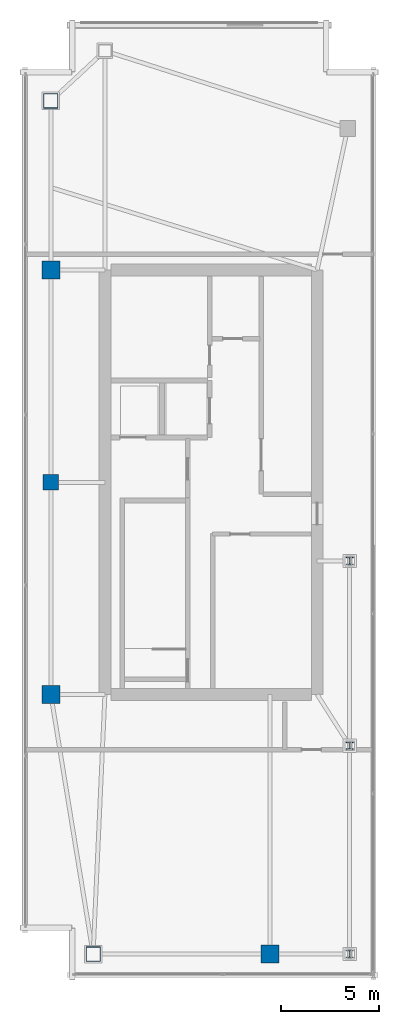
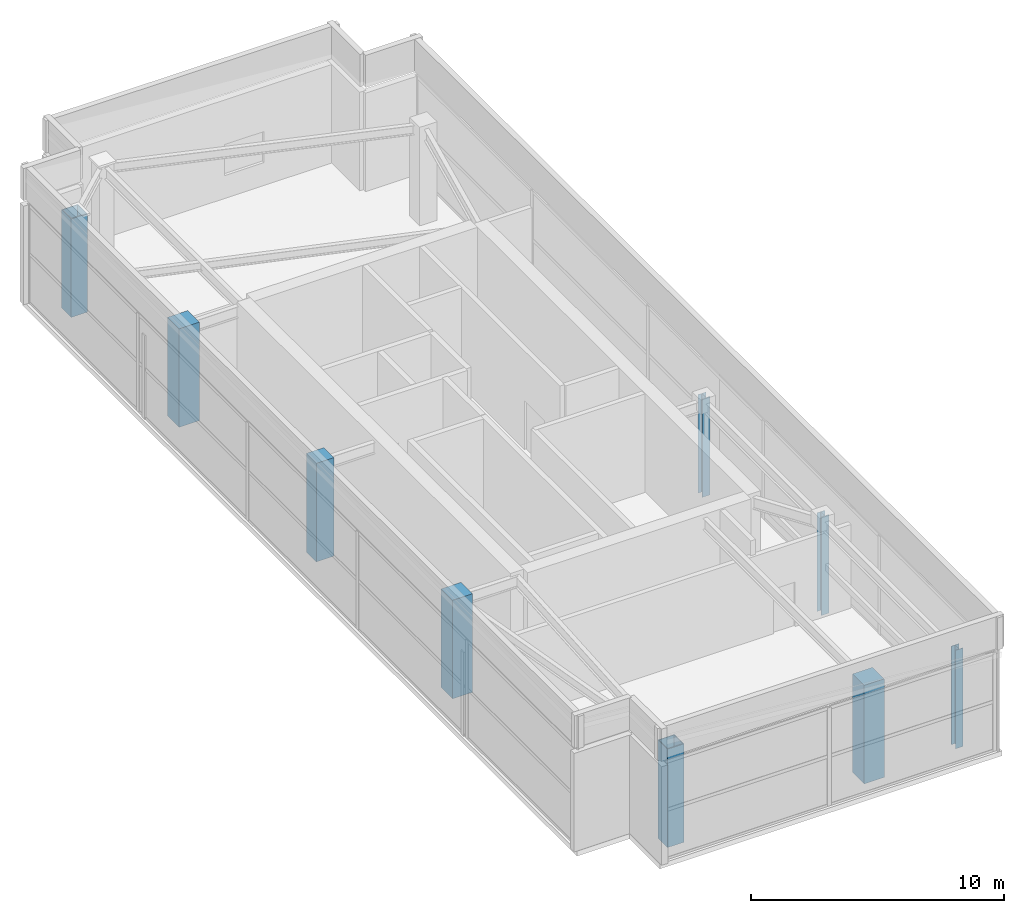
# One storey, part 1 of 20: 9 columns.
"""IFC4 building model written with IfcOpenShell, lengths in metres."""

from ifc_helpers import new_model, si_unit, direction, frame, origin, origin_2d, place, context, subcontext, project, spatial, rectangle, hollow_rectangle, i_section, extrude, material, material_profile, profile_set, type_object, element, save


model = new_model("IFC4")

# Units and contexts
model_context = context("Model", 3, precision=1e-05, world=origin(), true_north=direction((0.0, 1.0)))
body_context = subcontext(model_context, "Body", "Model", "MODEL_VIEW")
ifc_project = project(units=[si_unit("LENGTHUNIT", "METRE"), si_unit("AREAUNIT", "SQUARE_METRE"), si_unit("VOLUMEUNIT", "CUBIC_METRE"), si_unit("PLANEANGLEUNIT", "RADIAN"), si_unit("MASSUNIT", "GRAM", prefix="KILO")], contexts=[model_context])

# Site, building, storey
site_placement = place(None, origin())
site = spatial("IfcSite", under=ifc_project, at=site_placement, CompositionType="ELEMENT")
building_placement = place(site_placement, origin())
building = spatial("IfcBuilding", under=site, at=building_placement, Name="Calvorn Quay Hotel", CompositionType="ELEMENT")
storey_placement = place(building_placement, frame((0.0, 0.0, 345.5)))
storey = spatial("IfcBuildingStorey", under=building, at=storey_placement, Name="L84", CompositionType="ELEMENT", Elevation=345.5)

# Columns
ifc_material_1 = material(Name="Concrete C45", Category="concrete")
ifc_material_profile_1 = material_profile(ifc_material_1, rectangle(XDim=0.800048828125, YDim=0.800048828125, at=origin_2d()), Name="RC800x800")
ifc_profile_set_1 = profile_set([ifc_material_profile_1], Name="Concrete C45")
column_type_1 = type_object("IfcColumnType", Name="COL-RC-800", PredefinedType="COLUMN", material=ifc_profile_set_1)
column_placement = place(storey_placement, frame((1.449951171875, 27.60009765625, 0.0), z_axis=(0.0, 0.0, 1.0), x_axis=(1.0, 0.0, 0.0)))
element("IfcColumn", 1, at=column_placement, inside=storey, type_object=column_type_1, Name="Column C-W3 (L84)", PredefinedType="COLUMN", context=body_context, shape_type="SweptSolid", body=[
    extrude(rectangle(XDim=0.800048828125, YDim=0.800048828125, at=origin_2d()), origin(), (0.0, 0.0, 1.0), 4.75),
])
ifc_material_2 = material(Name="Concrete C45", Category="concrete")
ifc_material_profile_2 = material_profile(ifc_material_2, rectangle(XDim=0.919921875, YDim=0.919921875, at=origin_2d()), Name="RC920x920")
ifc_profile_set_2 = profile_set([ifc_material_profile_2], Name="Concrete C45")
column_type_2 = type_object("IfcColumnType", Name="COL-RC-920", PredefinedType="COLUMN", material=ifc_profile_set_2)
for number, where, z_axis, x_axis, name in (
    (2, (1.449951171875, 16.800048828125, 0.0), (0.0, 0.0, 1.0), (1.0, 0.0, 0.0), "Column C-W2 (L84)"),
    (3, (1.449951171875, 38.39990234375, 0.0), (0.0, 0.0, 1.0), (1.0, 0.0, 0.0), "Column C-W4 (L84)"),
    (4, (12.60009765625, 3.60009765625, 0.0), (0.0, 0.0, 1.0), (1.0, 0.0, 0.0), "Column C-S1 (L84)"),
):
    element("IfcColumn", number, at=place(storey_placement, frame(where, z_axis=z_axis, x_axis=x_axis)), inside=storey, type_object=column_type_2, Name=name, PredefinedType="COLUMN", context=body_context, shape_type="SweptSolid", body=[
        extrude(rectangle(XDim=0.919921875, YDim=0.919921875, at=origin_2d()), origin(), (0.0, 0.0, 1.0), 4.75),
    ])
ifc_material_3 = material(Name="Steel Q390GJC", Category="steel")
ifc_material_profile_3 = material_profile(ifc_material_3, i_section(OverallWidth=0.35009765625, OverallDepth=0.35009765625, WebThickness=0.011962890625, FlangeThickness=0.01904296875, FilletRadius=0.01806640625, at=origin_2d()), Name="HW350x350x12x19")
ifc_profile_set_3 = profile_set([ifc_material_profile_3], Name="Steel Q390GJC")
column_type_3 = type_object("IfcColumnType", Name="COL-STL-CRN", PredefinedType="COLUMN", material=ifc_profile_set_3)
for number, where, z_axis, x_axis, name in (
    (5, (16.64990234375, 3.60009765625, 0.0), (0.0, 0.0, 1.0), (1.0, 0.0, 0.0), "Column C-CR1 (L84)"),
    (6, (16.64990234375, 14.199951171875, 0.0), (0.0, 0.0, 1.0), (1.0, 0.0, 0.0), "Column C-CR2 (L84)"),
    (7, (16.64990234375, 23.60009765625, 0.0), (0.0, 0.0, 1.0), (1.0, 0.0, 0.0), "Column C-CR3 (L84)"),
):
    element("IfcColumn", number, at=place(storey_placement, frame(where, z_axis=z_axis, x_axis=x_axis)), inside=storey, type_object=column_type_3, Name=name, PredefinedType="COLUMN", context=body_context, shape_type="SweptSolid", body=[
        extrude(i_section(OverallWidth=0.35009765625, OverallDepth=0.35009765625, WebThickness=0.011962890625, FlangeThickness=0.01904296875, FilletRadius=0.01806640625, at=origin_2d()), origin(), (0.0, 0.0, 1.0), 4.75),
    ])
ifc_material_4 = material(Name="Steel Q390GJC", Category="steel")
ifc_material_profile_4 = material_profile(ifc_material_4, hollow_rectangle(XDim=0.75, YDim=0.75, WallThickness=0.031982421875, at=origin_2d()), Name="BOX750x750x32")
ifc_profile_set_4 = profile_set([ifc_material_profile_4], Name="Steel Q390GJC")
column_type_4 = type_object("IfcColumnType", Name="COL-STL-Z3", PredefinedType="COLUMN", material=ifc_profile_set_4)
for number, where, z_axis, x_axis, name in (
    (8, (3.60009765625, 3.60009765625, 0.0), (0.0, 0.0, 1.0), (1.0, 0.0, 0.0), "Column C-W1 (L84)"),
    (9, (1.449951171875, 47.0, 0.0), (0.0, 0.0, 1.0), (1.0, 0.0, 0.0), "Column C-W5 (L84)"),
):
    element("IfcColumn", number, at=place(storey_placement, frame(where, z_axis=z_axis, x_axis=x_axis)), inside=storey, type_object=column_type_4, Name=name, PredefinedType="COLUMN", context=body_context, shape_type="SweptSolid", body=[
        extrude(hollow_rectangle(XDim=0.75, YDim=0.75, WallThickness=0.031982421875, at=origin_2d()), origin(), (0.0, 0.0, 1.0), 4.75),
    ])

save(model, "model.ifc")
